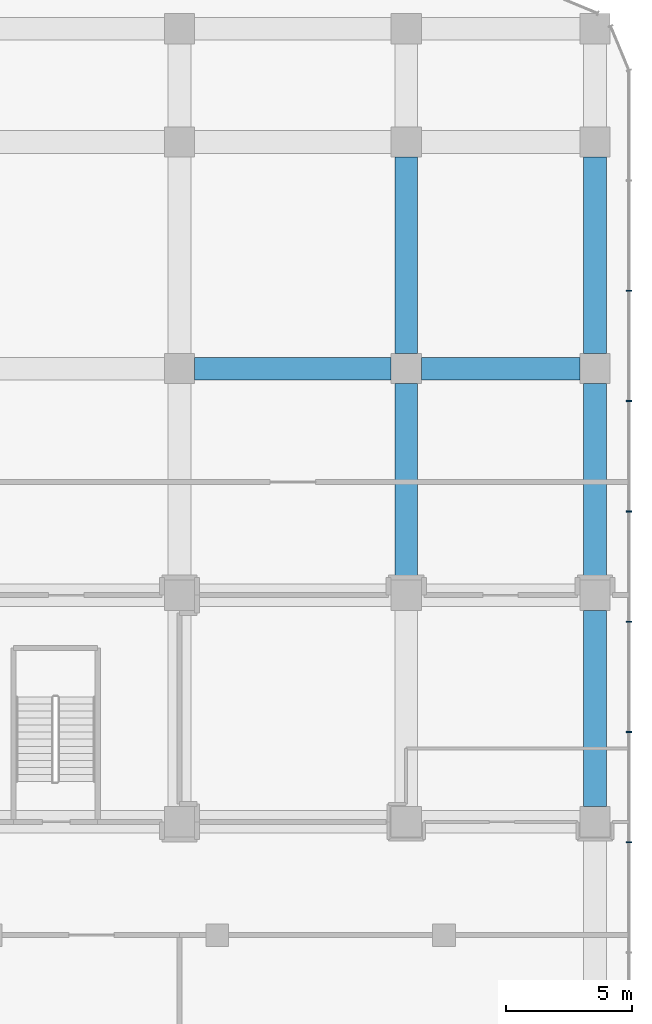
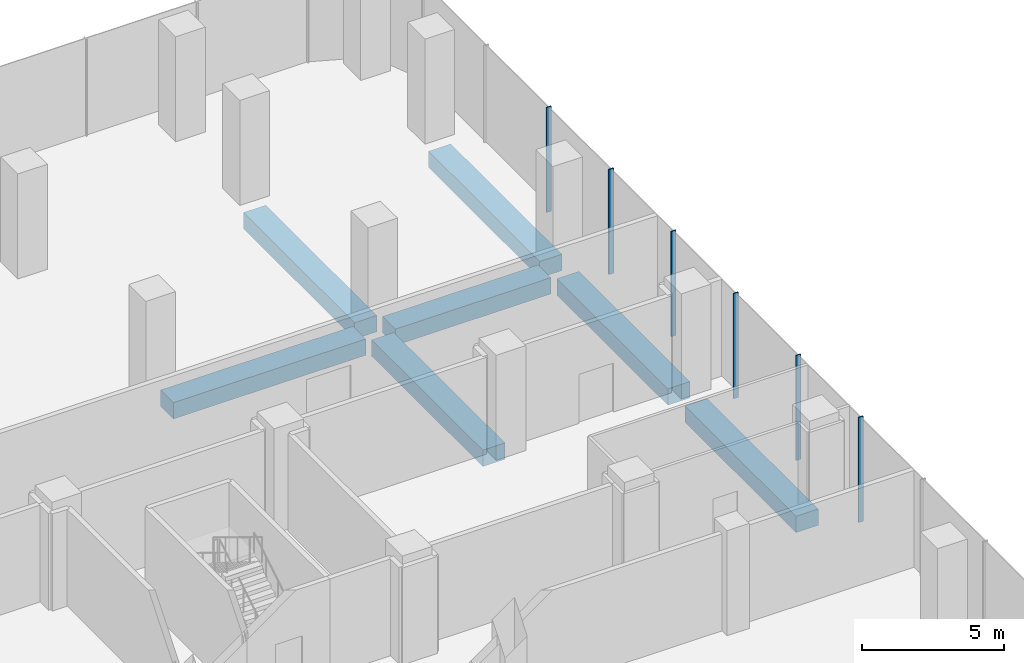
# One storey, part 20 of 43: 7 beams, 6 members, 1 element without a shape of its own.
"""IFC4 building model written with IfcOpenShell, lengths in metres."""

from ifc_helpers import new_model, si_unit, direction, frame, origin, origin_2d, place, context, subcontext, project, spatial, rectangle, extrude, material, layer, layer_set, material_profile, profile_set, type_object, element, aggregate, save


model = new_model("IFC4")

# Units and contexts
model_context = context("Model", 3, precision=1e-05, world=origin(), true_north=direction((0.0, 1.0)))
body_context = subcontext(model_context, "Body", "Model", "MODEL_VIEW")
ifc_project = project(units=[si_unit("LENGTHUNIT", "METRE"), si_unit("AREAUNIT", "SQUARE_METRE"), si_unit("VOLUMEUNIT", "CUBIC_METRE"), si_unit("PLANEANGLEUNIT", "RADIAN"), si_unit("MASSUNIT", "GRAM", prefix="KILO")], contexts=[model_context])

# Site, building, storey
site_placement = place(None, origin())
site = spatial("IfcSite", under=ifc_project, at=site_placement, CompositionType="ELEMENT")
building_placement = place(site_placement, origin())
building = spatial("IfcBuilding", under=site, at=building_placement, Name="Plateau Cross Towers", CompositionType="ELEMENT")
storey_placement = place(building_placement, frame((0.0, 0.0, 17.300048828125)))
storey = spatial("IfcBuildingStorey", under=building, at=storey_placement, Name="L03", CompositionType="ELEMENT", Elevation=17.300048828125)

# Curtain wall, members
ifc_material_1 = material(Name="Dark low-iron laminated glass", Category="glass")
ifc_layer = layer(ifc_material_1, 0.300048828125)
ifc_layer_set = layer_set([ifc_layer], Name="Dark low-iron laminated glass")
curtain_wall_type = type_object("IfcCurtainWallType", Name="Curtain wall structural silicone CW-C", PredefinedType="NOTDEFINED", material=ifc_layer_set)
curtain_wall_placement = place(storey_placement, origin())
curtain_wall = element("IfcCurtainWall", 1, at=curtain_wall_placement, inside=storey, type_object=curtain_wall_type, Name="ENV/P/L03/P1078_-88", PredefinedType="NOTDEFINED")
ifc_material_2 = material(Name="Black anodised aluminium", Category="aluminium")
ifc_material_profile_1 = material_profile(ifc_material_2, rectangle(XDim=0.050048828125, YDim=0.199951171875, at=origin_2d()), Name="MULLION 50x200")
ifc_profile_set_1 = profile_set([ifc_material_profile_1], Name="Black anodised aluminium")
member_type = type_object("IfcMemberType", Name="Mullion 50x200 structural silicone", PredefinedType="MULLION", material=ifc_profile_set_1)
member_1_placement = place(storey_placement, frame((107.85009765625, 26.18994140625, -0.35009765625), z_axis=(0.0, 0.0, 1.0), x_axis=(0.0, 1.0, 0.0)))
member_1 = element("IfcMember", 2, at=member_1_placement, type_object=member_type, Name="CW-C mullion 9", PredefinedType="MULLION", context=body_context, shape_type="SweptSolid", body=[
    extrude(rectangle(XDim=0.050048828125, YDim=0.199951171875, at=origin_2d()), origin(), (0.0, 0.0, 1.0), 4.5),
])
member_2_placement = place(storey_placement, frame((107.85009765625, 30.570068359375, -0.35009765625), z_axis=(0.0, 0.0, 1.0), x_axis=(0.0, 1.0, 0.0)))
member_2 = element("IfcMember", 3, at=member_2_placement, type_object=member_type, Name="CW-C mullion 10", PredefinedType="MULLION", context=body_context, shape_type="SweptSolid", body=[
    extrude(rectangle(XDim=0.050048828125, YDim=0.199951171875, at=origin_2d()), origin(), (0.0, 0.0, 1.0), 4.5),
])
member_3_placement = place(storey_placement, frame((107.85009765625, 34.949951171875, -0.35009765625), z_axis=(0.0, 0.0, 1.0), x_axis=(0.0, 1.0, 0.0)))
member_3 = element("IfcMember", 4, at=member_3_placement, type_object=member_type, Name="CW-C mullion 11", PredefinedType="MULLION", context=body_context, shape_type="SweptSolid", body=[
    extrude(rectangle(XDim=0.050048828125, YDim=0.199951171875, at=origin_2d()), origin(), (0.0, 0.0, 1.0), 4.5),
])
member_4_placement = place(storey_placement, frame((107.85009765625, 39.330078125, -0.35009765625), z_axis=(0.0, 0.0, 1.0), x_axis=(0.0, 1.0, 0.0)))
member_4 = element("IfcMember", 5, at=member_4_placement, type_object=member_type, Name="CW-C mullion 12", PredefinedType="MULLION", context=body_context, shape_type="SweptSolid", body=[
    extrude(rectangle(XDim=0.050048828125, YDim=0.199951171875, at=origin_2d()), origin(), (0.0, 0.0, 1.0), 4.5),
])
member_5_placement = place(storey_placement, frame((107.85009765625, 43.7099609375, -0.35009765625), z_axis=(0.0, 0.0, 1.0), x_axis=(0.0, 1.0, 0.0)))
member_5 = element("IfcMember", 6, at=member_5_placement, type_object=member_type, Name="CW-C mullion 13", PredefinedType="MULLION", context=body_context, shape_type="SweptSolid", body=[
    extrude(rectangle(XDim=0.050048828125, YDim=0.199951171875, at=origin_2d()), origin(), (0.0, 0.0, 1.0), 4.5),
])
member_6_placement = place(storey_placement, frame((107.85009765625, 48.090087890625, -0.35009765625), z_axis=(0.0, 0.0, 1.0), x_axis=(0.0, 1.0, 0.0)))
member_6 = element("IfcMember", 7, at=member_6_placement, type_object=member_type, Name="CW-C mullion 14", PredefinedType="MULLION", context=body_context, shape_type="SweptSolid", body=[
    extrude(rectangle(XDim=0.050048828125, YDim=0.199951171875, at=origin_2d()), origin(), (0.0, 0.0, 1.0), 4.5),
])
aggregate(curtain_wall, [member_1, member_2, member_3, member_4, member_5, member_6])

# Beams
ifc_material_3 = material(Name="Concrete C50/60", Category="concrete")
ifc_material_profile_2 = material_profile(ifc_material_3, rectangle(XDim=0.89990234375, YDim=0.699951171875, at=origin_2d()), Name="RC 900x700")
ifc_profile_set_2 = profile_set([ifc_material_profile_2], Name="Concrete C50/60")
beam_type = type_object("IfcBeamType", Name="Podium band beam RC 900x700", PredefinedType="BEAM", material=ifc_profile_set_2)
beam_1_placement = place(storey_placement, frame((90.60009765625, 45.0, -0.699951171875), z_axis=(1.0, 0.0, 0.0), x_axis=(0.0, 1.0, 0.0)))
element("IfcBeam", 8, at=beam_1_placement, inside=storey, type_object=beam_type, Name="PB65@L03", PredefinedType="BEAM", context=body_context, shape_type="SweptSolid", body=[
    extrude(rectangle(XDim=0.89990234375, YDim=0.699951171875, at=origin_2d()), origin(), (0.0, 0.0, 1.0), 7.7998046875),
])
beam_2_placement = place(storey_placement, frame((99.60009765625, 45.0, -0.699951171875), z_axis=(1.0, 0.0, 0.0), x_axis=(0.0, 1.0, 0.0)))
element("IfcBeam", 9, at=beam_2_placement, inside=storey, type_object=beam_type, Name="PB66@L03", PredefinedType="BEAM", context=body_context, shape_type="SweptSolid", body=[
    extrude(rectangle(XDim=0.89990234375, YDim=0.699951171875, at=origin_2d()), origin(), (0.0, 0.0, 1.0), 6.2998046875),
])
for number, where, z_axis, x_axis, name in (
    (10, (99.0, 36.60009765625, -0.699951171875), (0.0, 1.0, 0.0), (-1.0, 0.0, 0.0), "PB170@L03"),
    (11, (99.0, 45.60009765625, -0.699951171875), (0.0, 1.0, 0.0), (-1.0, 0.0, 0.0), "PB171@L03"),
    (12, (106.5, 27.60009765625, -0.699951171875), (0.0, 1.0, 0.0), (-1.0, 0.0, 0.0), "PB178@L03"),
    (13, (106.5, 36.60009765625, -0.699951171875), (0.0, 1.0, 0.0), (-1.0, 0.0, 0.0), "PB179@L03"),
    (14, (106.5, 45.60009765625, -0.699951171875), (0.0, 1.0, 0.0), (-1.0, 0.0, 0.0), "PB180@L03"),
):
    element("IfcBeam", number, at=place(storey_placement, frame(where, z_axis=z_axis, x_axis=x_axis)), inside=storey, type_object=beam_type, Name=name, PredefinedType="BEAM", context=body_context, shape_type="SweptSolid", body=[
        extrude(rectangle(XDim=0.89990234375, YDim=0.699951171875, at=origin_2d()), origin(), (0.0, 0.0, 1.0), 7.7998046875),
    ])

save(model, "model.ifc")
